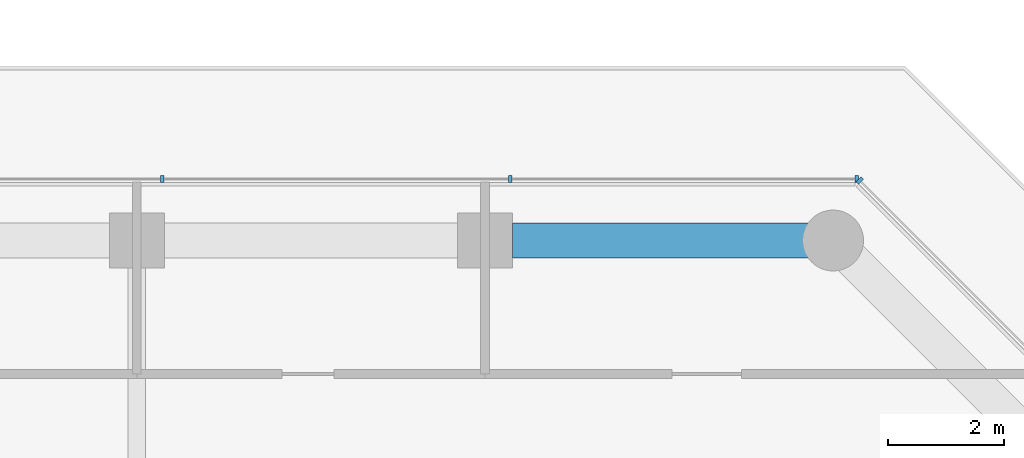
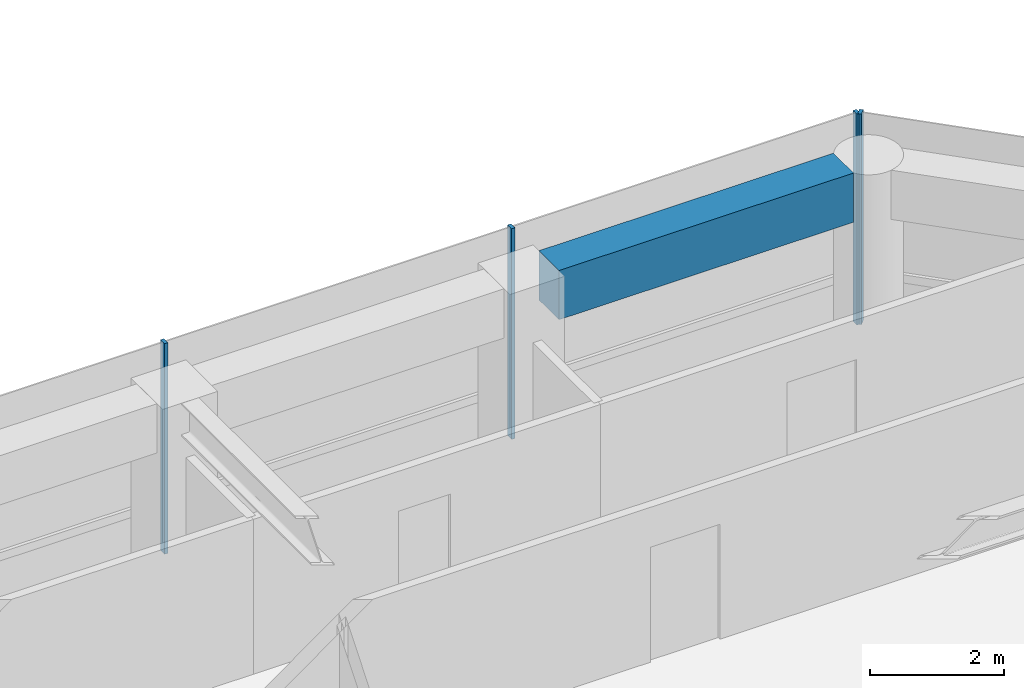
# One storey, part 11 of 29: 4 members, 1 beam, 2 elements without a shape of their own.
"""IFC4 building model written with IfcOpenShell, lengths in metres."""

import ifcopenshell
import ifcopenshell.guid

model = None  # the IFC model being written
_history = None  # IfcOwnerHistory: only IFC2X3 demands one
_inside = {}  # id of a spatial element -> (the spatial element, [elements in it])
_under = {}  # id of a project, library or spatial element -> (it, [spatial elements below it])
_declared = {}  # id of a project -> (the project, [libraries it declares])
_typed = {}  # id of a type object -> (the type object, [elements of that type])
_made_of = {}  # id of a material, layer set ... -> (it, [elements and type objects made of it])


def new_model(schema):
    """Start an empty IFC model of exactly this schema.

    Asked for "IFC4X3", IfcOpenShell would pick the latest addendum, in which some entities
    have other attributes; the version numbers below select the first issue.
    IFC2X3 requires an IfcOwnerHistory on every rooted entity: one is made here for all.
    """
    global model, _history
    if schema == "IFC4X3":
        model = ifcopenshell.file(schema_version=(4, 3, 0, 0))
    else:
        model = ifcopenshell.file(schema=schema)
    _inside.clear()
    _under.clear()
    _declared.clear()
    _typed.clear()
    _made_of.clear()
    _history = None
    if model.schema == "IFC2X3":
        org = make("IfcOrganization", Name="unknown")
        user = make(
            "IfcPersonAndOrganization",
            ThePerson=make("IfcPerson", FamilyName="unknown"),
            TheOrganization=org,
        )
        app = make(
            "IfcApplication",
            ApplicationDeveloper=org,
            Version="unknown",
            ApplicationFullName="unknown",
            ApplicationIdentifier="unknown",
        )
        _history = make(
            "IfcOwnerHistory",
            OwningUser=user,
            OwningApplication=app,
            ChangeAction="ADDED",
            CreationDate=0,
        )
    return model


def make(cls, **values):
    """One entity of the class cls with the attributes given. An attribute that is None is left unset."""
    return model.create_entity(
        cls, **{name: value for name, value in values.items() if value is not None}
    )


def rooted(cls, **values):
    """An entity with a GlobalId (a new one), such as an element, a storey or a relation."""
    return make(cls, GlobalId=ifcopenshell.guid.new(), OwnerHistory=_history, **values)


def si_unit(unit_type, name, prefix=None):
    """IfcSIUnit, for example si_unit("LENGTHUNIT", "METRE", prefix="MILLI")."""
    return make("IfcSIUnit", UnitType=unit_type, Prefix=prefix, Name=name)


def assignment(units):
    """IfcUnitAssignment: the units of a project."""
    return None if units is None else make("IfcUnitAssignment", Units=units)


def point(xyz):
    """IfcCartesianPoint."""
    return None if xyz is None else make("IfcCartesianPoint", Coordinates=xyz)


def direction(xyz):
    """IfcDirection."""
    return None if xyz is None else make("IfcDirection", DirectionRatios=xyz)


def frame(location, z_axis=None, x_axis=None):
    """IfcAxis2Placement3D, a coordinate frame: its origin and axes. An axis left out is left unset."""
    return make(
        "IfcAxis2Placement3D",
        Location=point(location),
        Axis=direction(z_axis),
        RefDirection=direction(x_axis),
    )


def frame_2d(location, x_axis=None):
    """IfcAxis2Placement2D, a coordinate frame in the plane: its origin and x axis."""
    return make(
        "IfcAxis2Placement2D", Location=point(location), RefDirection=direction(x_axis)
    )


def origin():
    """The frame at (0, 0, 0) with its axes left unset."""
    return frame((0.0, 0.0, 0.0))


def origin_2d():
    """The frame at (0, 0) in the plane with its x axis left unset."""
    return frame_2d((0.0, 0.0))


def place(relative_to, where):
    """IfcLocalPlacement: puts the frame where relative to a parent placement (None: the world)."""
    return make(
        "IfcLocalPlacement", PlacementRelTo=relative_to, RelativePlacement=where
    )


def context(
    kind, dimensions, precision=None, world=None, true_north=None, identifier=None
):
    """IfcGeometricRepresentationContext, for example the 3D "Model" context."""
    return make(
        "IfcGeometricRepresentationContext",
        ContextIdentifier=identifier,
        ContextType=kind,
        CoordinateSpaceDimension=dimensions,
        Precision=precision,
        WorldCoordinateSystem=world,
        TrueNorth=true_north,
    )


def subcontext(parent, identifier, kind, view, scale=None):
    """IfcGeometricRepresentationSubContext, for example "Body" below "Model"."""
    return make(
        "IfcGeometricRepresentationSubContext",
        ContextIdentifier=identifier,
        ContextType=kind,
        ParentContext=parent,
        TargetScale=scale,
        TargetView=view,
    )


def project(units=None, contexts=None):
    """IfcProject with its units and contexts."""
    return rooted(
        "IfcProject",
        Name="project",
        RepresentationContexts=contexts,
        UnitsInContext=assignment(units),
    )


def spatial(cls, under=None, at=None, **own):
    """A site, building, storey or space (cls), placed at a placement, below another one or the project."""
    s = rooted(cls, ObjectPlacement=at, **own)
    if under is not None:
        _under.setdefault(under.id(), (under, []))[1].append(s)
    return s


def profile(cls, at=None, kind="AREA", **sizes):
    """A parametric profile (cls). Its sizes go by their IFC names, for example OverallWidth=200.0."""
    return make(cls, ProfileType=kind, Position=at, **sizes)


def rectangle(**sizes):
    """IfcRectangleProfileDef."""
    return profile("IfcRectangleProfileDef", **sizes)


def extrude(swept, where, along, depth):
    """IfcExtrudedAreaSolid: the profile swept, set in the frame where, extruded along a direction by depth."""
    return make(
        "IfcExtrudedAreaSolid",
        SweptArea=swept,
        Position=where,
        ExtrudedDirection=direction(along),
        Depth=depth,
    )


def shape(context_of_items, identifier, shape_type, items):
    """IfcShapeRepresentation: the items that make up one representation, for example the "Body"."""
    return make(
        "IfcShapeRepresentation",
        ContextOfItems=context_of_items,
        RepresentationIdentifier=identifier,
        RepresentationType=shape_type,
        Items=items,
    )


def material(Name=None, Category=None):
    """IfcMaterial."""
    return make("IfcMaterial", Name=Name, Category=Category)


def layer(
    of_material, thickness, ventilated=None, Name=None, Category=None, Priority=None
):
    """IfcMaterialLayer: one layer of a wall or slab, of a material (None: an air gap)."""
    return make(
        "IfcMaterialLayer",
        Material=of_material,
        LayerThickness=thickness,
        IsVentilated=ventilated,
        Name=Name,
        Category=Category,
        Priority=Priority,
    )


def layer_set(layers, Name=None):
    """IfcMaterialLayerSet."""
    return make("IfcMaterialLayerSet", MaterialLayers=layers, LayerSetName=Name)


def material_profile(
    of_material, cross_section, Name=None, Category=None, Priority=None
):
    """IfcMaterialProfile: a cross section and its material."""
    return make(
        "IfcMaterialProfile",
        Name=Name,
        Material=of_material,
        Profile=cross_section,
        Priority=Priority,
        Category=Category,
    )


def profile_set(profiles, Name=None, composite=None):
    """IfcMaterialProfileSet."""
    return make(
        "IfcMaterialProfileSet",
        Name=Name,
        MaterialProfiles=profiles,
        CompositeProfile=composite,
    )


def made_of(thing, what):
    """Note that an element or type object is made of a material, layer set ...; save() writes the relation."""
    if what is not None:
        _made_of.setdefault(what.id(), (what, []))[1].append(thing)
    return thing


def type_object(cls, material=None, **own):
    """A type object (cls), such as IfcWallType, which elements share."""
    return made_of(rooted(cls, **own), material)


def element(
    cls,
    number,
    at=None,
    inside=None,
    cuts=None,
    type_object=None,
    material=None,
    context=None,
    identifier="Body",
    shape_type=None,
    held_by="IfcProductDefinitionShape",
    body=None,
    shapes=None,
    **own,
):
    """One element of the class cls, such as IfcWall. Its Tag is "e" and its number.

    at: its placement. inside: the storey or other place that contains it. cuts: it is an
    opening in that element (IfcRelVoidsElement). A single representation is given by context,
    identifier, shape_type and body (its items); several are given by shapes. held_by: the class
    of the entity that holds the representations. save() writes the other relations.
    """
    e = rooted(cls, Tag="e%d" % number, ObjectPlacement=at, **own)
    if body is not None:
        shapes = [shape(context, identifier, shape_type, body)]
    if shapes is not None:
        e.Representation = make(held_by, Representations=shapes)
    if inside is not None:
        _inside.setdefault(inside.id(), (inside, []))[1].append(e)
    if cuts is not None:
        rooted(
            "IfcRelVoidsElement", RelatingBuildingElement=cuts, RelatedOpeningElement=e
        )
    if type_object is not None:
        _typed.setdefault(type_object.id(), (type_object, []))[1].append(e)
    return made_of(e, material)


def aggregate(whole, parts):
    """IfcRelAggregates: a whole, such as a stair, and the parts it consists of."""
    return rooted("IfcRelAggregates", RelatingObject=whole, RelatedObjects=parts)


def save(model, path):
    """Write the relations noted so far, then the file.

    IfcRelAggregates (storeys below a building ...), IfcRelContainedInSpatialStructure (elements
    in a storey), IfcRelDefinesByType, IfcRelAssociatesMaterial and IfcRelDeclares: one each for
    every whole, place, type object, material and project.
    """
    for whole, parts in _under.values():
        aggregate(whole, parts)
    for where, things in _inside.values():
        rooted(
            "IfcRelContainedInSpatialStructure",
            RelatedElements=things,
            RelatingStructure=where,
        )
    for kind, things in _typed.values():
        rooted("IfcRelDefinesByType", RelatedObjects=things, RelatingType=kind)
    for what, things in _made_of.values():
        rooted("IfcRelAssociatesMaterial", RelatedObjects=things, RelatingMaterial=what)
    for by, libraries in _declared.values():
        rooted("IfcRelDeclares", RelatingContext=by, RelatedDefinitions=libraries)
    model.write(path)


model = new_model("IFC4")

# Units and contexts
model_context = context("Model", 3, precision=1e-05, world=origin(), true_north=direction((0.0, 1.0)))
body_context = subcontext(model_context, "Body", "Model", "MODEL_VIEW")
ifc_project = project(units=[si_unit("LENGTHUNIT", "METRE"), si_unit("AREAUNIT", "SQUARE_METRE"), si_unit("VOLUMEUNIT", "CUBIC_METRE"), si_unit("PLANEANGLEUNIT", "RADIAN"), si_unit("MASSUNIT", "GRAM", prefix="KILO")], contexts=[model_context])

# Site, building, storey
site_placement = place(None, origin())
site = spatial("IfcSite", under=ifc_project, at=site_placement, CompositionType="ELEMENT")
building_placement = place(site_placement, origin())
building = spatial("IfcBuilding", under=site, at=building_placement, Name="Welwitschia Terrace Campus", CompositionType="ELEMENT")
storey_placement = place(building_placement, frame((0.0, 0.0, 33.199951171875)))
storey = spatial("IfcBuildingStorey", under=building, at=storey_placement, Name="L07", CompositionType="ELEMENT", Elevation=33.199951171875)

# Curtain wall, member
ifc_material_1 = material(Name="Bronze anodised aluminium", Category="aluminium")
ifc_layer = layer(ifc_material_1, 0.1201171875)
ifc_layer_set = layer_set([ifc_layer], Name="Bronze anodised aluminium")
curtain_wall_type = type_object("IfcCurtainWallType", Name="Curtain wall CW2 tower 6000", PredefinedType="NOTDEFINED", material=ifc_layer_set)
curtain_wall_1_placement = place(storey_placement, origin())
curtain_wall_1 = element("IfcCurtainWall", 1, at=curtain_wall_1_placement, inside=storey, type_object=curtain_wall_type, Name="CW L07.10.0", PredefinedType="NOTDEFINED")
ifc_material_2 = material(Name="Bronze anodised aluminium", Category="aluminium")
ifc_material_profile_1 = material_profile(ifc_material_2, rectangle(XDim=0.1201171875, YDim=0.06005859375, at=origin_2d()))
ifc_profile_set_1 = profile_set([ifc_material_profile_1], Name="Bronze anodised aluminium")
member_type = type_object("IfcMemberType", Name="Mullion 60x120", PredefinedType="MULLION", material=ifc_profile_set_1)
member_1_placement = place(storey_placement, frame((60.45947265625, 21.036865234375, 0.0), z_axis=(0.0, 0.0, 1.0), x_axis=(-0.707106781187, -0.707106781187, 0.0)))
member_1 = element("IfcMember", 2, at=member_1_placement, type_object=member_type, Name="Mullion L07.10.0.2", PredefinedType="MULLION", context=body_context, shape_type="SweptSolid", body=[
    extrude(rectangle(XDim=0.1201171875, YDim=0.06005859375, at=origin_2d()), origin(), (0.0, 0.0, 1.0), 3.85009765625),
])
aggregate(curtain_wall_1, [member_1])

# Curtain wall, members
curtain_wall_2_placement = place(storey_placement, origin())
curtain_wall_2 = element("IfcCurtainWall", 3, at=curtain_wall_2_placement, inside=storey, type_object=curtain_wall_type, Name="CW L07.11.0", PredefinedType="NOTDEFINED")
member_2_placement = place(storey_placement, frame((60.408203125, 21.05810546875, 0.0), z_axis=(0.0, 0.0, 1.0), x_axis=(0.0, -1.0, 0.0)))
member_2 = element("IfcMember", 4, at=member_2_placement, type_object=member_type, Name="Mullion L07.11.0.0", PredefinedType="MULLION", context=body_context, shape_type="SweptSolid", body=[
    extrude(rectangle(XDim=0.1201171875, YDim=0.06005859375, at=origin_2d()), origin(), (0.0, 0.0, 1.0), 3.85009765625),
])
member_3_placement = place(storey_placement, frame((54.438232421875, 21.05810546875, 0.0), z_axis=(0.0, 0.0, 1.0), x_axis=(0.0, -1.0, 0.0)))
member_3 = element("IfcMember", 5, at=member_3_placement, type_object=member_type, Name="Mullion L07.11.0.1", PredefinedType="MULLION", context=body_context, shape_type="SweptSolid", body=[
    extrude(rectangle(XDim=0.1201171875, YDim=0.06005859375, at=origin_2d()), origin(), (0.0, 0.0, 1.0), 3.85009765625),
])
member_4_placement = place(storey_placement, frame((48.438232421875, 21.05810546875, 0.0), z_axis=(0.0, 0.0, 1.0), x_axis=(0.0, -1.0, 0.0)))
member_4 = element("IfcMember", 6, at=member_4_placement, type_object=member_type, Name="Mullion L07.11.0.2", PredefinedType="MULLION", context=body_context, shape_type="SweptSolid", body=[
    extrude(rectangle(XDim=0.1201171875, YDim=0.06005859375, at=origin_2d()), origin(), (0.0, 0.0, 1.0), 3.85009765625),
])
aggregate(curtain_wall_2, [member_2, member_3, member_4])

# Beam
ifc_material_3 = material(Name="Concrete C60/75", Category="concrete")
ifc_material_profile_2 = material_profile(ifc_material_3, rectangle(XDim=0.60009765625, YDim=0.89990234375, at=origin_2d()))
ifc_profile_set_2 = profile_set([ifc_material_profile_2], Name="Concrete C60/75")
beam_type = type_object("IfcBeamType", Name="Ring spandrel 600x900", PredefinedType="SPANDREL", material=ifc_profile_set_2)
beam_placement = place(storey_placement, frame((59.568603515625, 20.0, 3.400146484375), z_axis=(-1.0, 0.0, 0.0), x_axis=(0.0, -1.0, 0.0)))
element("IfcBeam", 7, at=beam_placement, inside=storey, type_object=beam_type, Name="Spandrel SP2", PredefinedType="SPANDREL", context=body_context, shape_type="SweptSolid", body=[
    extrude(rectangle(XDim=0.60009765625, YDim=0.89990234375, at=origin_2d()), origin(), (0.0, 0.0, 1.0), 5.093017578125),
])

save(model, "model.ifc")
